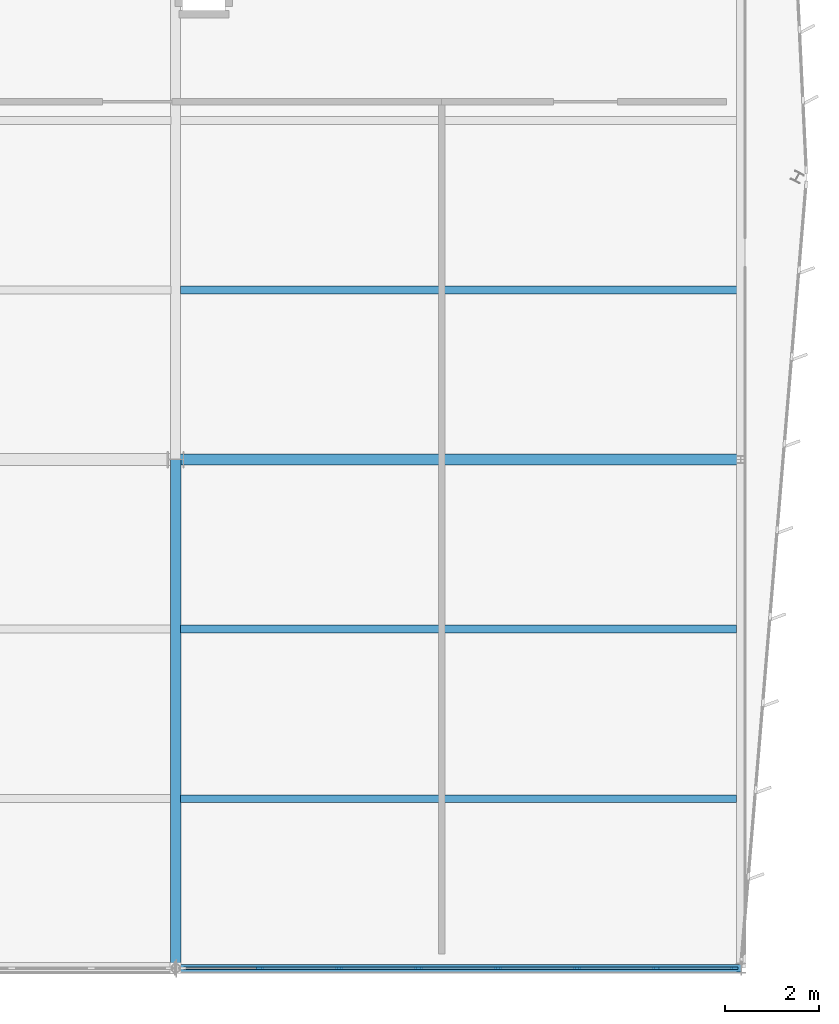
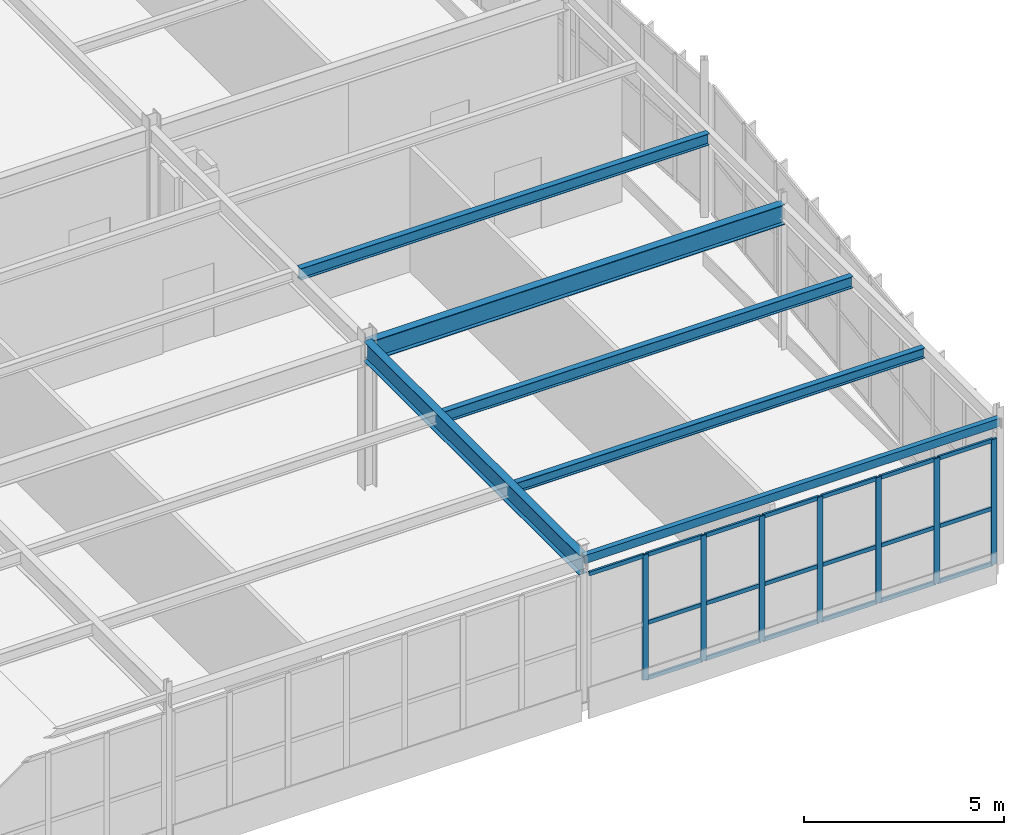
# One storey, part 111 of 226: 26 members, 6 beams, 1 element without a shape of its own.
"""IFC4 building model written with IfcOpenShell, lengths in metres."""

from ifc_helpers import new_model, si_unit, direction, frame, origin, origin_2d, place, context, subcontext, project, spatial, rectangle, hollow_rectangle, i_section, extrude, material, layer, layer_set, material_profile, profile_set, type_object, element, aggregate, save


model = new_model("IFC4")

# Units and contexts
model_context = context("Model", 3, precision=1e-05, world=origin(), true_north=direction((0.0, 1.0)))
body_context = subcontext(model_context, "Body", "Model", "MODEL_VIEW")
ifc_project = project(units=[si_unit("LENGTHUNIT", "METRE"), si_unit("AREAUNIT", "SQUARE_METRE"), si_unit("VOLUMEUNIT", "CUBIC_METRE"), si_unit("PLANEANGLEUNIT", "RADIAN"), si_unit("MASSUNIT", "GRAM", prefix="KILO")], contexts=[model_context])

# Site, building, storey
site_placement = place(None, origin())
site = spatial("IfcSite", under=ifc_project, at=site_placement, CompositionType="ELEMENT")
building_placement = place(site_placement, origin())
building = spatial("IfcBuilding", under=site, at=building_placement, Name="Tarnwether General Hospital", CompositionType="ELEMENT")
storey_placement = place(building_placement, frame((0.0, 0.0, 4.800048828125)))
storey = spatial("IfcBuildingStorey", under=building, at=storey_placement, Name="L01", CompositionType="ELEMENT", Elevation=4.800048828125)

# Beams
ifc_material_1 = material(Name="Steel Grade 350 (350 MPa)", Category="steel")
ifc_material_profile_1 = material_profile(ifc_material_1, i_section(OverallWidth=0.22900390625, OverallDepth=0.612060546875, WebThickness=0.011962890625, FlangeThickness=0.01953125, at=origin_2d()), Name="610UB125")
ifc_profile_set_1 = profile_set([ifc_material_profile_1], Name="Steel Grade 350 (350 MPa)")
beam_type_1 = type_object("IfcBeamType", Name="BM-G03", PredefinedType="BEAM", material=ifc_profile_set_1)
beam_1_placement = place(storey_placement, frame((180.0, 10.800048828125, 4.138916015625), z_axis=(1.0, 0.0, 0.0), x_axis=(0.0, 1.0, 0.0)))
element("IfcBeam", 1, at=beam_1_placement, inside=storey, type_object=beam_type_1, Name="Primary Girder BMG-L01-18000_1080-19200_1080-1267", PredefinedType="BEAM", context=body_context, shape_type="SweptSolid", body=[
    extrude(i_section(OverallWidth=0.22900390625, OverallDepth=0.612060546875, WebThickness=0.011962890625, FlangeThickness=0.01953125, at=origin_2d()), origin(), (0.0, 0.0, 1.0), 12.0),
])
ifc_material_2 = material(Name="Steel Grade 350 (350 MPa)", Category="steel")
ifc_material_profile_2 = material_profile(ifc_material_2, i_section(OverallWidth=0.22802734375, OverallDepth=0.60205078125, WebThickness=0.010498046875, FlangeThickness=0.014892578125, at=origin_2d()), Name="610UB101")
ifc_profile_set_2 = profile_set([ifc_material_profile_2], Name="Steel Grade 350 (350 MPa)")
beam_type_2 = type_object("IfcBeamType", Name="BM-G05", PredefinedType="BEAM", material=ifc_profile_set_2)
beam_2_placement = place(storey_placement, frame((180.0, 0.0, 4.14404296875), z_axis=(0.0, 1.0, 0.0), x_axis=(-1.0, 0.0, 0.0)))
element("IfcBeam", 2, at=beam_2_placement, inside=storey, type_object=beam_type_2, Name="Primary Girder BMG-L01-18000_0-18000_1080-1266", PredefinedType="BEAM", context=body_context, shape_type="SweptSolid", body=[
    extrude(i_section(OverallWidth=0.22802734375, OverallDepth=0.60205078125, WebThickness=0.010498046875, FlangeThickness=0.014892578125, at=origin_2d()), origin(), (0.0, 0.0, 1.0), 10.800048828125),
])
ifc_material_3 = material(Name="Steel Grade 350 (350 MPa)", Category="steel")
ifc_material_profile_3 = material_profile(ifc_material_3, i_section(OverallWidth=0.166015625, OverallDepth=0.306884765625, WebThickness=0.006591796875, FlangeThickness=0.01171875, at=origin_2d()), Name="310UB46.2")
ifc_profile_set_3 = profile_set([ifc_material_profile_3], Name="Steel Grade 350 (350 MPa)")
beam_type_3 = type_object("IfcBeamType", Name="BM-J05", PredefinedType="JOIST", material=ifc_profile_set_3)
beam_3_placement = place(storey_placement, frame((180.10791015625, 3.60009765625, 4.29150390625), z_axis=(1.0, 0.0, 0.0), x_axis=(0.0, 1.0, 0.0)))
element("IfcBeam", 3, at=beam_3_placement, inside=storey, type_object=beam_type_3, Name="Composite Floor Joist BMG-L01-18011_360-19191_360-1425", PredefinedType="JOIST", context=body_context, shape_type="SweptSolid", body=[
    extrude(i_section(OverallWidth=0.166015625, OverallDepth=0.306884765625, WebThickness=0.006591796875, FlangeThickness=0.01171875, at=origin_2d()), origin(), (0.0, 0.0, 1.0), 11.802978515625),
])
ifc_material_4 = material(Name="Steel Grade 350 (350 MPa)", Category="steel")
ifc_material_profile_4 = material_profile(ifc_material_4, i_section(OverallWidth=0.1708984375, OverallDepth=0.35205078125, WebThickness=0.0068359375, FlangeThickness=0.009765625, at=origin_2d()), Name="360UB44.7")
ifc_profile_set_4 = profile_set([ifc_material_profile_4], Name="Steel Grade 350 (350 MPa)")
beam_type_4 = type_object("IfcBeamType", Name="BM-J06", PredefinedType="JOIST", material=ifc_profile_set_4)
beam_4_placement = place(storey_placement, frame((180.10791015625, 7.199951171875, 4.26904296875), z_axis=(1.0, 0.0, 0.0), x_axis=(0.0, 1.0, 0.0)))
element("IfcBeam", 4, at=beam_4_placement, inside=storey, type_object=beam_type_4, Name="Composite Floor Joist BMG-L01-18011_720-19191_720-1426", PredefinedType="JOIST", context=body_context, shape_type="SweptSolid", body=[
    extrude(i_section(OverallWidth=0.1708984375, OverallDepth=0.35205078125, WebThickness=0.0068359375, FlangeThickness=0.009765625, at=origin_2d()), origin(), (0.0, 0.0, 1.0), 11.802978515625),
])
beam_5_placement = place(storey_placement, frame((180.09912109375, 14.39990234375, 4.26904296875), z_axis=(1.0, 0.0, 0.0), x_axis=(0.0, 1.0, 0.0)))
element("IfcBeam", 5, at=beam_5_placement, inside=storey, type_object=beam_type_4, Name="Composite Floor Joist BMG-L01-18010_1440-19192_1440-1427", PredefinedType="JOIST", context=body_context, shape_type="SweptSolid", body=[
    extrude(i_section(OverallWidth=0.1708984375, OverallDepth=0.35205078125, WebThickness=0.0068359375, FlangeThickness=0.009765625, at=origin_2d()), origin(), (0.0, 0.0, 1.0), 11.81787109375),
])
ifc_material_5 = material(Name="Steel Grade C350L0 (350 MPa)", Category="steel")
ifc_material_profile_5 = material_profile(ifc_material_5, hollow_rectangle(XDim=0.14990234375, YDim=0.25, WallThickness=0.008056640625, at=origin_2d()), Name="RHS250x150x8")
ifc_profile_set_5 = profile_set([ifc_material_profile_5], Name="Steel Grade C350L0 (350 MPa)")
beam_type_5 = type_object("IfcBeamType", Name="BM-SP8", PredefinedType="SPANDREL", material=ifc_profile_set_5)
beam_6_placement = place(storey_placement, frame((180.0, 0.0, 4.320068359375), z_axis=(1.0, 0.0, 0.0), x_axis=(0.0, 1.0, 0.0)))
element("IfcBeam", 6, at=beam_6_placement, inside=storey, type_object=beam_type_5, Name="Primary Girder BMG-L01-18000_0-19200_0-1265", PredefinedType="SPANDREL", context=body_context, shape_type="SweptSolid", body=[
    extrude(hollow_rectangle(XDim=0.14990234375, YDim=0.25, WallThickness=0.008056640625, at=origin_2d()), origin(), (0.0, 0.0, 1.0), 12.0),
])

# Curtain wall, members
ifc_material_6 = material(Name="Anodised aluminium", Category="aluminium")
ifc_layer = layer(ifc_material_6, 0.159912109375)
ifc_layer_set = layer_set([ifc_layer], Name="Anodised aluminium")
curtain_wall_type = type_object("IfcCurtainWallType", Name="CW-19", PredefinedType="NOTDEFINED", material=ifc_layer_set)
curtain_wall_placement = place(storey_placement, origin())
curtain_wall = element("IfcCurtainWall", 7, at=curtain_wall_placement, inside=storey, type_object=curtain_wall_type, Name="Curtain Wall CWG-L01-1919_0-0383", PredefinedType="NOTDEFINED")
ifc_material_7 = material(Name="Anodised aluminium", Category="aluminium")
ifc_material_profile_6 = material_profile(ifc_material_7, rectangle(XDim=0.06005859375, YDim=0.159912109375, at=origin_2d()), Name="ALU-MUL-60x160")
ifc_profile_set_6 = profile_set([ifc_material_profile_6], Name="Anodised aluminium")
member_type_1 = type_object("IfcMemberType", Name="CW-ML1", PredefinedType="MULLION", material=ifc_profile_set_6)
member_1_placement = place(storey_placement, frame((191.861083984375, 0.0, 0.0), z_axis=(0.0, 0.0, 1.0), x_axis=(0.0, -1.0, 0.0)))
member_1 = element("IfcMember", 8, at=member_1_placement, type_object=member_type_1, Name="CW-19 mullion 1", PredefinedType="MULLION", context=body_context, shape_type="SweptSolid", body=[
    extrude(rectangle(XDim=0.06005859375, YDim=0.159912109375, at=origin_2d()), origin(), (0.0, 0.0, 1.0), 3.827880859375),
])
member_2_placement = place(storey_placement, frame((190.207275390625, 0.0, 0.0), z_axis=(0.0, 0.0, 1.0), x_axis=(0.0, -1.0, 0.0)))
member_2 = element("IfcMember", 9, at=member_2_placement, type_object=member_type_1, Name="CW-19 mullion 2", PredefinedType="MULLION", context=body_context, shape_type="SweptSolid", body=[
    extrude(rectangle(XDim=0.06005859375, YDim=0.159912109375, at=origin_2d()), origin(), (0.0, 0.0, 1.0), 3.827880859375),
])
member_3_placement = place(storey_placement, frame((188.523681640625, 0.0, 0.0), z_axis=(0.0, 0.0, 1.0), x_axis=(0.0, -1.0, 0.0)))
member_3 = element("IfcMember", 10, at=member_3_placement, type_object=member_type_1, Name="CW-19 mullion 3", PredefinedType="MULLION", context=body_context, shape_type="SweptSolid", body=[
    extrude(rectangle(XDim=0.06005859375, YDim=0.159912109375, at=origin_2d()), origin(), (0.0, 0.0, 1.0), 3.827880859375),
])
member_4_placement = place(storey_placement, frame((186.83984375, 0.0, 0.0), z_axis=(0.0, 0.0, 1.0), x_axis=(0.0, -1.0, 0.0)))
member_4 = element("IfcMember", 11, at=member_4_placement, type_object=member_type_1, Name="CW-19 mullion 4", PredefinedType="MULLION", context=body_context, shape_type="SweptSolid", body=[
    extrude(rectangle(XDim=0.06005859375, YDim=0.159912109375, at=origin_2d()), origin(), (0.0, 0.0, 1.0), 3.827880859375),
])
member_5_placement = place(storey_placement, frame((185.15625, 0.0, 0.0), z_axis=(0.0, 0.0, 1.0), x_axis=(0.0, -1.0, 0.0)))
member_5 = element("IfcMember", 12, at=member_5_placement, type_object=member_type_1, Name="CW-19 mullion 5", PredefinedType="MULLION", context=body_context, shape_type="SweptSolid", body=[
    extrude(rectangle(XDim=0.06005859375, YDim=0.159912109375, at=origin_2d()), origin(), (0.0, 0.0, 1.0), 3.827880859375),
])
member_6_placement = place(storey_placement, frame((183.472412109375, 0.0, 0.0), z_axis=(0.0, 0.0, 1.0), x_axis=(0.0, -1.0, 0.0)))
member_6 = element("IfcMember", 13, at=member_6_placement, type_object=member_type_1, Name="CW-19 mullion 6", PredefinedType="MULLION", context=body_context, shape_type="SweptSolid", body=[
    extrude(rectangle(XDim=0.06005859375, YDim=0.159912109375, at=origin_2d()), origin(), (0.0, 0.0, 1.0), 3.827880859375),
])
member_7_placement = place(storey_placement, frame((181.788818359375, 0.0, 0.0), z_axis=(0.0, 0.0, 1.0), x_axis=(0.0, -1.0, 0.0)))
member_7 = element("IfcMember", 14, at=member_7_placement, type_object=member_type_1, Name="CW-19 mullion 7", PredefinedType="MULLION", context=body_context, shape_type="SweptSolid", body=[
    extrude(rectangle(XDim=0.06005859375, YDim=0.159912109375, at=origin_2d()), origin(), (0.0, 0.0, 1.0), 3.827880859375),
])
ifc_material_8 = material(Name="Anodised aluminium", Category="aluminium")
ifc_material_profile_7 = material_profile(ifc_material_8, rectangle(XDim=0.06005859375, YDim=0.1201171875, at=origin_2d()), Name="ALU-TRN-60x120")
ifc_profile_set_7 = profile_set([ifc_material_profile_7], Name="Anodised aluminium")
member_type_2 = type_object("IfcMemberType", Name="CW-TR1", PredefinedType="USERDEFINED", material=ifc_profile_set_7)
member_8_placement = place(storey_placement, frame((191.8310546875, 0.0, 0.030029296875), z_axis=(-1.0, 0.0, 0.0), x_axis=(0.0, -1.0, 0.0)))
member_8 = element("IfcMember", 15, at=member_8_placement, type_object=member_type_2, Name="CW-19 transom 1.1", ObjectType="TRANSOM", PredefinedType="USERDEFINED", context=body_context, shape_type="SweptSolid", body=[
    extrude(rectangle(XDim=0.06005859375, YDim=0.1201171875, at=origin_2d()), origin(), (0.0, 0.0, 1.0), 1.59375),
])
member_9_placement = place(storey_placement, frame((191.8310546875, 0.0, 1.72265625), z_axis=(-1.0, 0.0, 0.0), x_axis=(0.0, -1.0, 0.0)))
member_9 = element("IfcMember", 16, at=member_9_placement, type_object=member_type_2, Name="CW-19 transom 1.2", ObjectType="TRANSOM", PredefinedType="USERDEFINED", context=body_context, shape_type="SweptSolid", body=[
    extrude(rectangle(XDim=0.06005859375, YDim=0.1201171875, at=origin_2d()), origin(), (0.0, 0.0, 1.0), 1.59375),
])
member_10_placement = place(storey_placement, frame((191.8310546875, 0.0, 3.7978515625), z_axis=(-1.0, 0.0, 0.0), x_axis=(0.0, -1.0, 0.0)))
member_10 = element("IfcMember", 17, at=member_10_placement, type_object=member_type_2, Name="CW-19 transom 1.3", ObjectType="TRANSOM", PredefinedType="USERDEFINED", context=body_context, shape_type="SweptSolid", body=[
    extrude(rectangle(XDim=0.06005859375, YDim=0.1201171875, at=origin_2d()), origin(), (0.0, 0.0, 1.0), 1.59375),
])
member_11_placement = place(storey_placement, frame((190.17724609375, 0.0, 0.030029296875), z_axis=(-1.0, 0.0, 0.0), x_axis=(0.0, -1.0, 0.0)))
member_11 = element("IfcMember", 18, at=member_11_placement, type_object=member_type_2, Name="CW-19 transom 2.1", ObjectType="TRANSOM", PredefinedType="USERDEFINED", context=body_context, shape_type="SweptSolid", body=[
    extrude(rectangle(XDim=0.06005859375, YDim=0.1201171875, at=origin_2d()), origin(), (0.0, 0.0, 1.0), 1.623779296875),
])
member_12_placement = place(storey_placement, frame((190.17724609375, 0.0, 1.72265625), z_axis=(-1.0, 0.0, 0.0), x_axis=(0.0, -1.0, 0.0)))
member_12 = element("IfcMember", 19, at=member_12_placement, type_object=member_type_2, Name="CW-19 transom 2.2", ObjectType="TRANSOM", PredefinedType="USERDEFINED", context=body_context, shape_type="SweptSolid", body=[
    extrude(rectangle(XDim=0.06005859375, YDim=0.1201171875, at=origin_2d()), origin(), (0.0, 0.0, 1.0), 1.623779296875),
])
member_13_placement = place(storey_placement, frame((190.17724609375, 0.0, 3.7978515625), z_axis=(-1.0, 0.0, 0.0), x_axis=(0.0, -1.0, 0.0)))
member_13 = element("IfcMember", 20, at=member_13_placement, type_object=member_type_2, Name="CW-19 transom 2.3", ObjectType="TRANSOM", PredefinedType="USERDEFINED", context=body_context, shape_type="SweptSolid", body=[
    extrude(rectangle(XDim=0.06005859375, YDim=0.1201171875, at=origin_2d()), origin(), (0.0, 0.0, 1.0), 1.623779296875),
])
member_14_placement = place(storey_placement, frame((188.49365234375, 0.0, 0.030029296875), z_axis=(-1.0, 0.0, 0.0), x_axis=(0.0, -1.0, 0.0)))
member_14 = element("IfcMember", 21, at=member_14_placement, type_object=member_type_2, Name="CW-19 transom 3.1", ObjectType="TRANSOM", PredefinedType="USERDEFINED", context=body_context, shape_type="SweptSolid", body=[
    extrude(rectangle(XDim=0.06005859375, YDim=0.1201171875, at=origin_2d()), origin(), (0.0, 0.0, 1.0), 1.623779296875),
])
member_15_placement = place(storey_placement, frame((188.49365234375, 0.0, 1.72265625), z_axis=(-1.0, 0.0, 0.0), x_axis=(0.0, -1.0, 0.0)))
member_15 = element("IfcMember", 22, at=member_15_placement, type_object=member_type_2, Name="CW-19 transom 3.2", ObjectType="TRANSOM", PredefinedType="USERDEFINED", context=body_context, shape_type="SweptSolid", body=[
    extrude(rectangle(XDim=0.06005859375, YDim=0.1201171875, at=origin_2d()), origin(), (0.0, 0.0, 1.0), 1.623779296875),
])
member_16_placement = place(storey_placement, frame((188.49365234375, 0.0, 3.7978515625), z_axis=(-1.0, 0.0, 0.0), x_axis=(0.0, -1.0, 0.0)))
member_16 = element("IfcMember", 23, at=member_16_placement, type_object=member_type_2, Name="CW-19 transom 3.3", ObjectType="TRANSOM", PredefinedType="USERDEFINED", context=body_context, shape_type="SweptSolid", body=[
    extrude(rectangle(XDim=0.06005859375, YDim=0.1201171875, at=origin_2d()), origin(), (0.0, 0.0, 1.0), 1.623779296875),
])
member_17_placement = place(storey_placement, frame((186.809814453125, 0.0, 0.030029296875), z_axis=(-1.0, 0.0, 0.0), x_axis=(0.0, -1.0, 0.0)))
member_17 = element("IfcMember", 24, at=member_17_placement, type_object=member_type_2, Name="CW-19 transom 4.1", ObjectType="TRANSOM", PredefinedType="USERDEFINED", context=body_context, shape_type="SweptSolid", body=[
    extrude(rectangle(XDim=0.06005859375, YDim=0.1201171875, at=origin_2d()), origin(), (0.0, 0.0, 1.0), 1.623779296875),
])
member_18_placement = place(storey_placement, frame((186.809814453125, 0.0, 1.72265625), z_axis=(-1.0, 0.0, 0.0), x_axis=(0.0, -1.0, 0.0)))
member_18 = element("IfcMember", 25, at=member_18_placement, type_object=member_type_2, Name="CW-19 transom 4.2", ObjectType="TRANSOM", PredefinedType="USERDEFINED", context=body_context, shape_type="SweptSolid", body=[
    extrude(rectangle(XDim=0.06005859375, YDim=0.1201171875, at=origin_2d()), origin(), (0.0, 0.0, 1.0), 1.623779296875),
])
member_19_placement = place(storey_placement, frame((186.809814453125, 0.0, 3.7978515625), z_axis=(-1.0, 0.0, 0.0), x_axis=(0.0, -1.0, 0.0)))
member_19 = element("IfcMember", 26, at=member_19_placement, type_object=member_type_2, Name="CW-19 transom 4.3", ObjectType="TRANSOM", PredefinedType="USERDEFINED", context=body_context, shape_type="SweptSolid", body=[
    extrude(rectangle(XDim=0.06005859375, YDim=0.1201171875, at=origin_2d()), origin(), (0.0, 0.0, 1.0), 1.623779296875),
])
member_20_placement = place(storey_placement, frame((185.126220703125, 0.0, 0.030029296875), z_axis=(-1.0, 0.0, 0.0), x_axis=(0.0, -1.0, 0.0)))
member_20 = element("IfcMember", 27, at=member_20_placement, type_object=member_type_2, Name="CW-19 transom 5.1", ObjectType="TRANSOM", PredefinedType="USERDEFINED", context=body_context, shape_type="SweptSolid", body=[
    extrude(rectangle(XDim=0.06005859375, YDim=0.1201171875, at=origin_2d()), origin(), (0.0, 0.0, 1.0), 1.623779296875),
])
member_21_placement = place(storey_placement, frame((185.126220703125, 0.0, 1.72265625), z_axis=(-1.0, 0.0, 0.0), x_axis=(0.0, -1.0, 0.0)))
member_21 = element("IfcMember", 28, at=member_21_placement, type_object=member_type_2, Name="CW-19 transom 5.2", ObjectType="TRANSOM", PredefinedType="USERDEFINED", context=body_context, shape_type="SweptSolid", body=[
    extrude(rectangle(XDim=0.06005859375, YDim=0.1201171875, at=origin_2d()), origin(), (0.0, 0.0, 1.0), 1.623779296875),
])
member_22_placement = place(storey_placement, frame((185.126220703125, 0.0, 3.7978515625), z_axis=(-1.0, 0.0, 0.0), x_axis=(0.0, -1.0, 0.0)))
member_22 = element("IfcMember", 29, at=member_22_placement, type_object=member_type_2, Name="CW-19 transom 5.3", ObjectType="TRANSOM", PredefinedType="USERDEFINED", context=body_context, shape_type="SweptSolid", body=[
    extrude(rectangle(XDim=0.06005859375, YDim=0.1201171875, at=origin_2d()), origin(), (0.0, 0.0, 1.0), 1.623779296875),
])
member_23_placement = place(storey_placement, frame((183.4423828125, 0.0, 0.030029296875), z_axis=(-1.0, 0.0, 0.0), x_axis=(0.0, -1.0, 0.0)))
member_23 = element("IfcMember", 30, at=member_23_placement, type_object=member_type_2, Name="CW-19 transom 6.1", ObjectType="TRANSOM", PredefinedType="USERDEFINED", context=body_context, shape_type="SweptSolid", body=[
    extrude(rectangle(XDim=0.06005859375, YDim=0.1201171875, at=origin_2d()), origin(), (0.0, 0.0, 1.0), 1.623779296875),
])
member_24_placement = place(storey_placement, frame((183.4423828125, 0.0, 1.72265625), z_axis=(-1.0, 0.0, 0.0), x_axis=(0.0, -1.0, 0.0)))
member_24 = element("IfcMember", 31, at=member_24_placement, type_object=member_type_2, Name="CW-19 transom 6.2", ObjectType="TRANSOM", PredefinedType="USERDEFINED", context=body_context, shape_type="SweptSolid", body=[
    extrude(rectangle(XDim=0.06005859375, YDim=0.1201171875, at=origin_2d()), origin(), (0.0, 0.0, 1.0), 1.623779296875),
])
member_25_placement = place(storey_placement, frame((183.4423828125, 0.0, 3.7978515625), z_axis=(-1.0, 0.0, 0.0), x_axis=(0.0, -1.0, 0.0)))
member_25 = element("IfcMember", 32, at=member_25_placement, type_object=member_type_2, Name="CW-19 transom 6.3", ObjectType="TRANSOM", PredefinedType="USERDEFINED", context=body_context, shape_type="SweptSolid", body=[
    extrude(rectangle(XDim=0.06005859375, YDim=0.1201171875, at=origin_2d()), origin(), (0.0, 0.0, 1.0), 1.623779296875),
])
member_26_placement = place(storey_placement, frame((181.7587890625, 0.0, 3.7978515625), z_axis=(-1.0, 0.0, 0.0), x_axis=(0.0, -1.0, 0.0)))
member_26 = element("IfcMember", 33, at=member_26_placement, type_object=member_type_2, Name="CW-19 transom 7.3", ObjectType="TRANSOM", PredefinedType="USERDEFINED", context=body_context, shape_type="SweptSolid", body=[
    extrude(rectangle(XDim=0.06005859375, YDim=0.1201171875, at=origin_2d()), origin(), (0.0, 0.0, 1.0), 1.59375),
])
aggregate(curtain_wall, [member_1, member_2, member_3, member_4, member_5, member_6, member_7, member_8, member_9, member_10, member_11, member_12, member_13, member_14, member_15, member_16, member_17, member_18, member_19, member_20, member_21, member_22, member_23, member_24, member_25, member_26])

save(model, "model.ifc")
